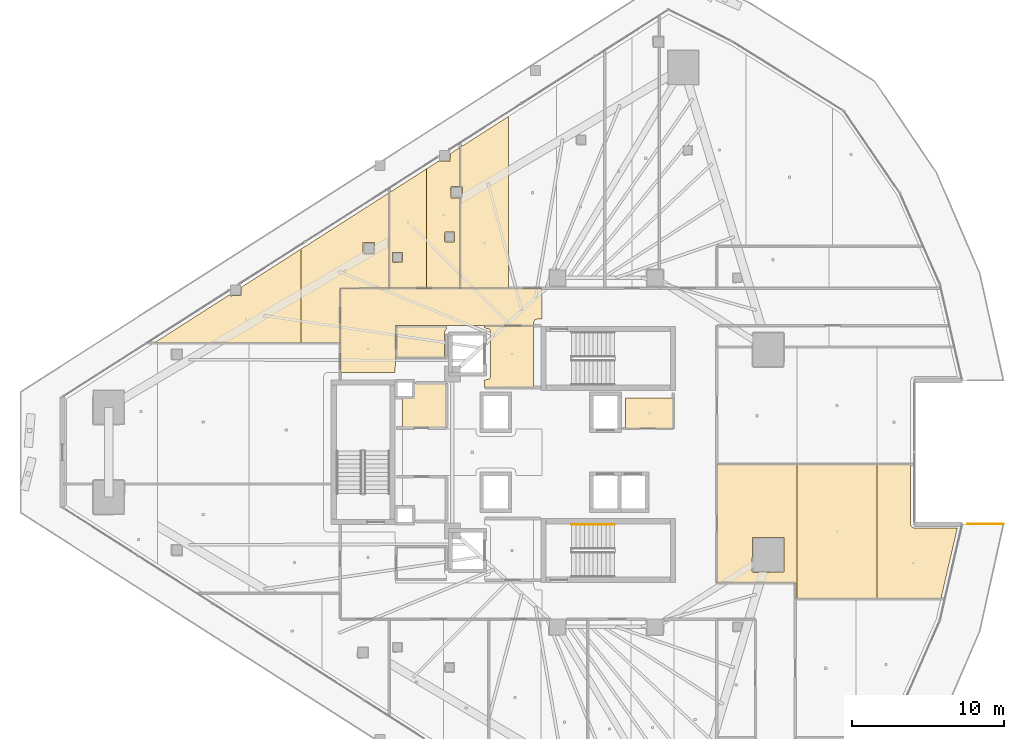
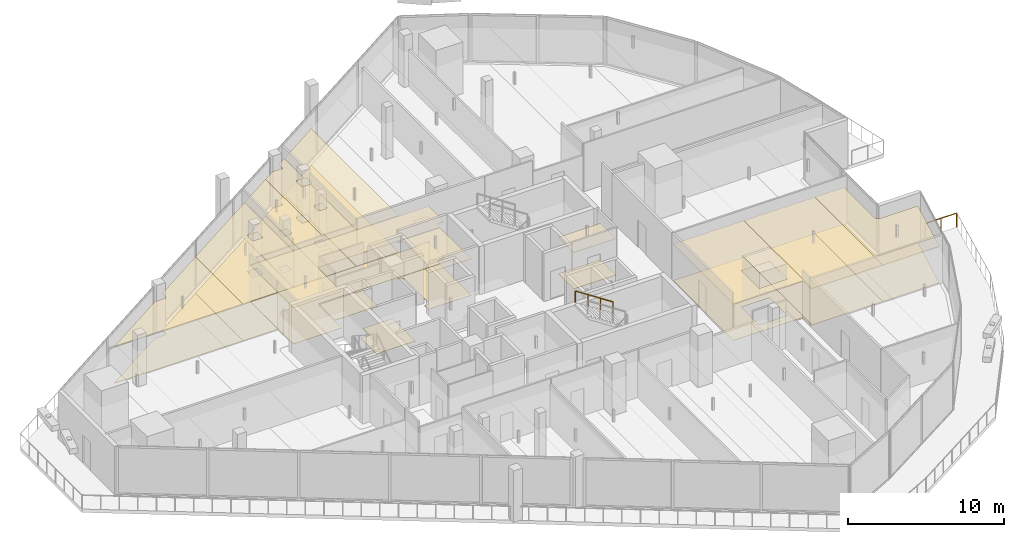
# One storey, part 33 of 35: 24 coverings, 2 railings.
"""IFC4 building model written with IfcOpenShell, lengths in metres."""

from ifc_helpers import new_model, si_unit, direction, frame, origin, origin_2d, place, context, subcontext, project, spatial, polyline, circle, outline, extrude, material, layer, layer_set, type_object, element, save


model = new_model("IFC4")

# Units and contexts
model_context = context("Model", 3, precision=1e-05, world=origin(), true_north=direction((0.0, 1.0)))
body_context = subcontext(model_context, "Body", "Model", "MODEL_VIEW")
ifc_project = project(units=[si_unit("LENGTHUNIT", "METRE"), si_unit("AREAUNIT", "SQUARE_METRE"), si_unit("VOLUMEUNIT", "CUBIC_METRE"), si_unit("PLANEANGLEUNIT", "RADIAN"), si_unit("MASSUNIT", "GRAM", prefix="KILO")], contexts=[model_context])

# Site, building, storey
site_placement = place(None, origin())
site = spatial("IfcSite", under=ifc_project, at=site_placement, CompositionType="ELEMENT")
building_placement = place(site_placement, origin())
building = spatial("IfcBuilding", under=site, at=building_placement, Name="Qorvath Tower", CompositionType="ELEMENT")
storey_placement = place(building_placement, frame((0.0, 0.0, 166.5)))
storey = spatial("IfcBuildingStorey", under=building, at=storey_placement, Name="L38", CompositionType="ELEMENT", Elevation=166.5)

# Coverings
ifc_material_1 = material(Name="Acoustic mineral fibre ceiling tile", Category="gypsum")
ifc_layer_1 = layer(ifc_material_1, 0.030029296875)
ifc_layer_set_1 = layer_set([ifc_layer_1], Name="COV-CEIL")
covering_type_1 = type_object("IfcCoveringType", Name="COV-CEIL", PredefinedType="CEILING", material=ifc_layer_set_1)
covering_1_placement = place(storey_placement, frame((0.0, 0.0, 2.85009765625)))
element("IfcCovering", 1, at=covering_1_placement, inside=storey, type_object=covering_type_1, Name="L38 Suspended Acoustic Ceiling 001", PredefinedType="CEILING", context=body_context, shape_type="SweptSolid", body=[
    extrude(outline(polyline([(-25.18994140625, 4.2548828125), (-25.18994140625, 8.294921875), (-28.375, 8.294921875), (-28.375, 8.159912109375), (-28.063232421875, 8.086669921875), (-27.989990234375, 7.909912109375), (-27.989990234375, 4.989990234375), (-28.063232421875, 4.813232421875), (-28.375, 4.739990234375), (-28.375, 4.2548828125), (-25.18994140625, 4.2548828125)])), origin(), (0.0, 0.0, 1.0), 0.030029296875),
])
covering_2_placement = place(storey_placement, frame((0.0, 0.0, 2.85009765625)))
element("IfcCovering", 2, at=covering_2_placement, inside=storey, type_object=covering_type_1, Name="L38 Suspended Acoustic Ceiling 003", PredefinedType="CEILING", context=body_context, shape_type="SweptSolid", body=[
    extrude(outline(polyline([(-16.0048828125, 3.56005859375), (-19.139892578125, 3.56005859375), (-19.139892578125, 1.56494140625), (-16.0048828125, 1.56494140625), (-16.0048828125, 3.56005859375)])), origin(), (0.0, 0.0, 1.0), 0.030029296875),
])
covering_3_placement = place(storey_placement, frame((0.0, 0.0, 2.85009765625)))
element("IfcCovering", 3, at=covering_3_placement, inside=storey, type_object=covering_type_1, Name="L38 Suspended Acoustic Ceiling 009", PredefinedType="CEILING", context=body_context, shape_type="SweptSolid", body=[
    extrude(outline(polyline([(-24.621826171875, 8.75), (-24.621826171875, 10.7451171875), (-37.844970703125, 10.7451171875), (-37.844970703125, 5.239990234375), (-34.2509765625, 5.239990234375), (-34.219970703125, 8.324951171875), (-25.18994140625, 8.324951171875), (-25.11669921875, 8.6767578125), (-24.93994140625, 8.75), (-24.621826171875, 8.75)])), origin(), (0.0, 0.0, 1.0), 0.030029296875),
])
covering_4_placement = place(storey_placement, frame((0.0, 0.0, 2.85009765625)))
element("IfcCovering", 4, at=covering_4_placement, inside=storey, type_object=covering_type_1, Name="L38 Suspended Acoustic Ceiling 011", PredefinedType="CEILING", context=body_context, shape_type="SweptSolid", body=[
    extrude(outline(polyline([(-32.19189453125, 10.762939453125), (-32.19189453125, 18.59619140625), (-34.64501953125, 17.0283203125), (-34.64501953125, 10.762939453125), (-32.19189453125, 10.762939453125)]), holes=[polyline([(-34.439208984375, 12.517578125), (-34.421630859375, 13.10986328125), (-33.786865234375, 13.10986328125), (-33.786865234375, 12.47509765625), (-34.379150390625, 12.45751953125), (-34.439208984375, 12.517578125)])]), origin(), (0.0, 0.0, 1.0), 0.030029296875),
])
covering_5_placement = place(storey_placement, frame((0.0, 0.0, 2.85009765625)))
element("IfcCovering", 5, at=covering_5_placement, inside=storey, type_object=covering_type_1, Name="L38 Suspended Acoustic Ceiling 012", PredefinedType="CEILING", context=body_context, shape_type="SweptSolid", body=[
    extrude(outline(polyline([(-29.98388671875, 17.444580078125), (-29.98388671875, 20.00732421875), (-30.631103515625, 19.59375), (-30.648681640625, 19.093017578125), (-31.39013671875, 19.108642578125), (-32.19189453125, 18.59619140625), (-32.19189453125, 10.762939453125), (-29.98388671875, 10.762939453125), (-29.98388671875, 16.674560546875), (-30.59228515625, 16.692138671875), (-30.60986328125, 17.384521484375), (-30.5498046875, 17.444580078125), (-29.98388671875, 17.444580078125)]), holes=[polyline([(-31.01220703125, 13.849365234375), (-30.99462890625, 14.441650390625), (-30.35986328125, 14.441650390625), (-30.35986328125, 13.806884765625), (-30.9521484375, 13.789306640625), (-31.01220703125, 13.849365234375)])]), origin(), (0.0, 0.0, 1.0), 0.030029296875),
])
covering_6_placement = place(storey_placement, frame((0.0, 0.0, 2.85009765625)))
element("IfcCovering", 6, at=covering_6_placement, inside=storey, type_object=covering_type_1, Name="L38 Suspended Acoustic Ceiling 013", PredefinedType="CEILING", context=body_context, shape_type="SweptSolid", body=[
    extrude(outline(polyline([(-26.81201171875, 10.762939453125), (-26.81201171875, 22.03759765625), (-29.9658203125, 20.018798828125), (-29.9658203125, 17.444580078125), (-29.83984375, 17.384521484375), (-29.83984375, 16.734619140625), (-29.9658203125, 16.674560546875), (-29.9658203125, 10.762939453125), (-26.81201171875, 10.762939453125)])), origin(), (0.0, 0.0, 1.0), 0.030029296875),
])
covering_7_placement = place(storey_placement, frame((0.0, 0.0, 2.85009765625)))
element("IfcCovering", 7, at=covering_7_placement, inside=storey, type_object=covering_type_1, Name="L38 Suspended Acoustic Ceiling 033", PredefinedType="CEILING", context=body_context, shape_type="SweptSolid", body=[
    extrude(outline(polyline([(-7.8798828125, -9.58837890625), (-7.8798828125, -0.7939453125), (-13.136962890625, -0.7939453125), (-13.136962890625, -8.56689453125), (-7.991943359375, -8.56689453125), (-7.987060546875, -9.58837890625), (-7.8798828125, -9.58837890625)]), holes=[polyline([(-10.830322265625, -7.8212890625), (-10.812744140625, -5.578857421875), (-8.727783203125, -5.578857421875), (-8.727783203125, -7.86376953125), (-10.770263671875, -7.88134765625), (-10.830322265625, -7.8212890625)])]), origin(), (0.0, 0.0, 1.0), 0.030029296875),
])
covering_8_placement = place(storey_placement, frame((0.0, 0.0, 2.85009765625)))
element("IfcCovering", 8, at=covering_8_placement, inside=storey, type_object=covering_type_1, Name="L38 Suspended Acoustic Ceiling 034", PredefinedType="CEILING", context=body_context, shape_type="SweptSolid", body=[
    extrude(outline(polyline([(-2.62255859375, -9.58837890625), (-2.62255859375, -0.7939453125), (-7.8798828125, -0.7939453125), (-7.8798828125, -9.58837890625), (-2.62255859375, -9.58837890625)])), origin(), (0.0, 0.0, 1.0), 0.030029296875),
])
covering_9_placement = place(storey_placement, frame((0.0, 0.0, 2.85009765625)))
element("IfcCovering", 9, at=covering_9_placement, inside=storey, type_object=covering_type_1, Name="L38 Suspended Acoustic Ceiling 035", PredefinedType="CEILING", context=body_context, shape_type="SweptSolid", body=[
    extrude(outline(polyline([(-0.3466796875, -4.904541015625), (-0.43408203125, -4.757568359375), (-0.438720703125, -0.7939453125), (-2.62255859375, -0.7939453125), (-2.62255859375, -9.58837890625), (1.5625, -9.58837890625), (2.634521484375, -4.9638671875), (-0.208251953125, -4.962646484375), (-0.3466796875, -4.904541015625)])), origin(), (0.0, 0.0, 1.0), 0.030029296875),
])
covering_10_placement = place(storey_placement, frame((0.0, 0.0, 2.85009765625)))
element("IfcCovering", 10, at=covering_10_placement, inside=storey, type_object=covering_type_1, Name="L38 Suspended Acoustic Ceiling 050", PredefinedType="CEILING", context=body_context, shape_type="SweptSolid", body=[
    extrude(outline(polyline([(-40.444580078125, 7.183349609375), (-40.444580078125, 13.32177734375), (-44.351318359375, 10.82470703125), (-44.368896484375, 10.284912109375), (-45.061279296875, 10.267333984375), (-45.121337890625, 10.33251953125), (-50.048583984375, 7.183349609375), (-40.444580078125, 7.183349609375)])), origin(), (0.0, 0.0, 1.0), 0.030029296875),
])
covering_11_placement = place(storey_placement, frame((0.0, 0.0, 2.85009765625)))
element("IfcCovering", 11, at=covering_11_placement, inside=storey, type_object=covering_type_1, Name="L38 Suspended Acoustic Ceiling 051", PredefinedType="CEILING", context=body_context, shape_type="SweptSolid", body=[
    extrude(outline(polyline([(-34.6630859375, 10.762939453125), (-34.6630859375, 17.016845703125), (-40.444580078125, 13.32177734375), (-40.444580078125, 7.183349609375), (-37.863037109375, 7.183349609375), (-37.861572265625, 10.761474609375), (-34.6630859375, 10.762939453125)]), holes=[polyline([(-36.36572265625, 13.055908203125), (-36.34814453125, 13.748291015625), (-35.61328125, 13.748291015625), (-35.61328125, 13.013427734375), (-36.3056640625, 12.995849609375), (-36.36572265625, 13.055908203125)])]), origin(), (0.0, 0.0, 1.0), 0.030029296875),
])
ifc_material_2 = material(Name="Low-VOC modular carpet tile", Category="textile")
ifc_layer_2 = layer(ifc_material_2, 0.014892578125)
ifc_layer_set_2 = layer_set([ifc_layer_2], Name="COV-FLOOR-CPT")
covering_type_2 = type_object("IfcCoveringType", Name="COV-FLOOR-CPT", PredefinedType="FLOORING", material=ifc_layer_set_2)
covering_12_placement = place(storey_placement, origin())
element("IfcCovering", 12, at=covering_12_placement, inside=storey, type_object=covering_type_2, Name="L38 Floor Finish 003", PredefinedType="FLOORING", context=body_context, shape_type="SweptSolid", body=[
    extrude(outline(polyline([(-16.0048828125, 3.56005859375), (-19.139892578125, 3.56005859375), (-19.139892578125, 1.56494140625), (-16.0048828125, 1.56494140625), (-16.0048828125, 3.56005859375)])), origin(), (0.0, 0.0, 1.0), 0.014892578125),
])
covering_13_placement = place(storey_placement, origin())
element("IfcCovering", 13, at=covering_13_placement, inside=storey, type_object=covering_type_2, Name="L38 Floor Finish 005", PredefinedType="FLOORING", context=body_context, shape_type="SweptSolid", body=[
    extrude(outline(polyline([(-33.760009765625, 3.636962890625), (-33.760009765625, 1.60498046875), (-30.885009765625, 1.60498046875), (-30.885009765625, 4.534912109375), (-33.0869140625, 4.534912109375), (-33.092041015625, 3.636962890625), (-33.760009765625, 3.636962890625)])), origin(), (0.0, 0.0, 1.0), 0.014892578125),
])
covering_14_placement = place(storey_placement, origin())
element("IfcCovering", 14, at=covering_14_placement, inside=storey, type_object=covering_type_2, Name="L38 Floor Finish 011", PredefinedType="FLOORING", context=body_context, shape_type="SweptSolid", body=[
    extrude(outline(polyline([(-32.19189453125, 10.762939453125), (-32.19189453125, 18.59619140625), (-34.64501953125, 17.0283203125), (-34.64501953125, 10.762939453125), (-32.19189453125, 10.762939453125)]), holes=[polyline([(-34.439208984375, 12.517578125), (-34.421630859375, 13.10986328125), (-33.786865234375, 13.10986328125), (-33.786865234375, 12.47509765625), (-34.379150390625, 12.45751953125), (-34.439208984375, 12.517578125)])]), origin(), (0.0, 0.0, 1.0), 0.014892578125),
])
covering_15_placement = place(storey_placement, origin())
element("IfcCovering", 15, at=covering_15_placement, inside=storey, type_object=covering_type_2, Name="L38 Floor Finish 012", PredefinedType="FLOORING", context=body_context, shape_type="SweptSolid", body=[
    extrude(outline(polyline([(-29.98388671875, 17.444580078125), (-29.98388671875, 20.00732421875), (-30.631103515625, 19.59375), (-30.648681640625, 19.093017578125), (-31.39013671875, 19.108642578125), (-32.19189453125, 18.59619140625), (-32.19189453125, 10.762939453125), (-29.98388671875, 10.762939453125), (-29.98388671875, 16.674560546875), (-30.59228515625, 16.692138671875), (-30.60986328125, 17.384521484375), (-30.5498046875, 17.444580078125), (-29.98388671875, 17.444580078125)]), holes=[polyline([(-31.01220703125, 13.849365234375), (-30.99462890625, 14.441650390625), (-30.35986328125, 14.441650390625), (-30.35986328125, 13.806884765625), (-30.9521484375, 13.789306640625), (-31.01220703125, 13.849365234375)])]), origin(), (0.0, 0.0, 1.0), 0.014892578125),
])
covering_16_placement = place(storey_placement, origin())
element("IfcCovering", 16, at=covering_16_placement, inside=storey, type_object=covering_type_2, Name="L38 Floor Finish 013", PredefinedType="FLOORING", context=body_context, shape_type="SweptSolid", body=[
    extrude(outline(polyline([(-26.81201171875, 10.762939453125), (-26.81201171875, 22.03759765625), (-29.9658203125, 20.018798828125), (-29.9658203125, 17.444580078125), (-29.83984375, 17.384521484375), (-29.83984375, 16.734619140625), (-29.9658203125, 16.674560546875), (-29.9658203125, 10.762939453125), (-26.81201171875, 10.762939453125)])), origin(), (0.0, 0.0, 1.0), 0.014892578125),
])
covering_17_placement = place(storey_placement, origin())
element("IfcCovering", 17, at=covering_17_placement, inside=storey, type_object=covering_type_2, Name="L38 Floor Finish 033", PredefinedType="FLOORING", context=body_context, shape_type="SweptSolid", body=[
    extrude(outline(polyline([(-7.8798828125, -9.58837890625), (-7.8798828125, -0.7939453125), (-13.136962890625, -0.7939453125), (-13.136962890625, -8.56689453125), (-7.991943359375, -8.56689453125), (-7.987060546875, -9.58837890625), (-7.8798828125, -9.58837890625)]), holes=[polyline([(-10.830322265625, -7.8212890625), (-10.812744140625, -5.578857421875), (-8.727783203125, -5.578857421875), (-8.727783203125, -7.86376953125), (-10.770263671875, -7.88134765625), (-10.830322265625, -7.8212890625)])]), origin(), (0.0, 0.0, 1.0), 0.014892578125),
])
covering_18_placement = place(storey_placement, origin())
element("IfcCovering", 18, at=covering_18_placement, inside=storey, type_object=covering_type_2, Name="L38 Floor Finish 034", PredefinedType="FLOORING", context=body_context, shape_type="SweptSolid", body=[
    extrude(outline(polyline([(-2.62255859375, -9.58837890625), (-2.62255859375, -0.7939453125), (-7.8798828125, -0.7939453125), (-7.8798828125, -9.58837890625), (-2.62255859375, -9.58837890625)])), origin(), (0.0, 0.0, 1.0), 0.014892578125),
])
covering_19_placement = place(storey_placement, origin())
element("IfcCovering", 19, at=covering_19_placement, inside=storey, type_object=covering_type_2, Name="L38 Floor Finish 035", PredefinedType="FLOORING", context=body_context, shape_type="SweptSolid", body=[
    extrude(outline(polyline([(-0.3466796875, -4.904541015625), (-0.43408203125, -4.757568359375), (-0.438720703125, -0.7939453125), (-2.62255859375, -0.7939453125), (-2.62255859375, -9.58837890625), (1.5625, -9.58837890625), (2.634521484375, -4.9638671875), (-0.208251953125, -4.962646484375), (-0.3466796875, -4.904541015625)])), origin(), (0.0, 0.0, 1.0), 0.014892578125),
])
covering_20_placement = place(storey_placement, origin())
element("IfcCovering", 20, at=covering_20_placement, inside=storey, type_object=covering_type_2, Name="L38 Floor Finish 050", PredefinedType="FLOORING", context=body_context, shape_type="SweptSolid", body=[
    extrude(outline(polyline([(-40.444580078125, 7.183349609375), (-40.444580078125, 13.32177734375), (-44.351318359375, 10.82470703125), (-44.368896484375, 10.284912109375), (-45.061279296875, 10.267333984375), (-45.121337890625, 10.33251953125), (-50.048583984375, 7.183349609375), (-40.444580078125, 7.183349609375)])), origin(), (0.0, 0.0, 1.0), 0.014892578125),
])
covering_21_placement = place(storey_placement, origin())
element("IfcCovering", 21, at=covering_21_placement, inside=storey, type_object=covering_type_2, Name="L38 Floor Finish 051", PredefinedType="FLOORING", context=body_context, shape_type="SweptSolid", body=[
    extrude(outline(polyline([(-34.6630859375, 10.762939453125), (-34.6630859375, 17.016845703125), (-40.444580078125, 13.32177734375), (-40.444580078125, 7.183349609375), (-37.863037109375, 7.183349609375), (-37.861572265625, 10.761474609375), (-34.6630859375, 10.762939453125)]), holes=[polyline([(-36.36572265625, 13.055908203125), (-36.34814453125, 13.748291015625), (-35.61328125, 13.748291015625), (-35.61328125, 13.013427734375), (-36.3056640625, 12.995849609375), (-36.36572265625, 13.055908203125)])]), origin(), (0.0, 0.0, 1.0), 0.014892578125),
])
ifc_material_3 = material(Name="Polished epoxy terrazzo flooring", Category="concrete")
ifc_layer_3 = layer(ifc_material_3, 0.02001953125)
ifc_layer_set_3 = layer_set([ifc_layer_3], Name="COV-FLOOR-TRZ")
covering_type_3 = type_object("IfcCoveringType", Name="COV-FLOOR-TRZ", PredefinedType="FLOORING", material=ifc_layer_set_3)
covering_22_placement = place(storey_placement, origin())
element("IfcCovering", 22, at=covering_22_placement, inside=storey, type_object=covering_type_3, Name="L38 Floor Finish 001", PredefinedType="FLOORING", context=body_context, shape_type="SweptSolid", body=[
    extrude(outline(polyline([(-25.18994140625, 4.2548828125), (-25.18994140625, 8.294921875), (-28.375, 8.294921875), (-28.375, 8.159912109375), (-28.063232421875, 8.086669921875), (-27.989990234375, 7.909912109375), (-27.989990234375, 4.989990234375), (-28.063232421875, 4.813232421875), (-28.375, 4.739990234375), (-28.375, 4.2548828125), (-25.18994140625, 4.2548828125)])), origin(), (0.0, 0.0, 1.0), 0.014892578125),
])
covering_23_placement = place(storey_placement, origin())
element("IfcCovering", 23, at=covering_23_placement, inside=storey, type_object=covering_type_3, Name="L38 Floor Finish 004", PredefinedType="FLOORING", context=body_context, shape_type="SweptSolid", body=[
    extrude(outline(polyline([(-31.010009765625, 6.205078125), (-31.010009765625, 7.909912109375), (-30.885009765625, 8.108154296875), (-30.885009765625, 8.2451171875), (-34.175048828125, 8.2451171875), (-34.175048828125, 6.205078125), (-31.010009765625, 6.205078125)])), origin(), (0.0, 0.0, 1.0), 0.014892578125),
])
covering_24_placement = place(storey_placement, origin())
element("IfcCovering", 24, at=covering_24_placement, inside=storey, type_object=covering_type_3, Name="L38 Floor Finish 009", PredefinedType="FLOORING", context=body_context, shape_type="SweptSolid", body=[
    extrude(outline(polyline([(-24.621826171875, 8.75), (-24.621826171875, 10.7451171875), (-37.844970703125, 10.7451171875), (-37.844970703125, 5.239990234375), (-34.2509765625, 5.239990234375), (-34.219970703125, 8.324951171875), (-25.18994140625, 8.324951171875), (-25.11669921875, 8.6767578125), (-24.93994140625, 8.75), (-24.621826171875, 8.75)])), origin(), (0.0, 0.0, 1.0), 0.014892578125),
])

# Railings
ifc_material_4 = material(Name="Laminated safety glass and stainless steel AISI 316", Category="steel")
railing_type_1 = type_object("IfcRailingType", Name="RL-EXT-GRD", PredefinedType="GUARDRAIL", material=ifc_material_4)
railing_1_placement = place(storey_placement, frame((3.304931640625, -4.708740234375, 0.0)))
element("IfcRailing", 25, at=railing_1_placement, inside=storey, type_object=railing_type_1, Name="Loggia Perimeter Guardrail L38-1.2", PredefinedType="GUARDRAIL", context=body_context, shape_type="SweptSolid", body=[
    extrude(circle(Radius=0.02392578125, at=origin_2d()), frame((0.0, 0.0, 1.09619140625), z_axis=(1.0, 0.0, 0.0), x_axis=(0.0, 1.0, 0.0)), (0.0, 0.0, 1.0), 2.36669921875),
    extrude(circle(Radius=0.02099609375, at=origin_2d()), origin(), (0.0, 0.0, 1.0), 1.072021484375),
    extrude(circle(Radius=0.02099609375, at=origin_2d()), frame((1.183349609375, 0.0, 0.0)), (0.0, 0.0, 1.0), 1.072021484375),
    extrude(circle(Radius=0.02099609375, at=origin_2d()), frame((2.36669921875, 0.0, 0.0)), (0.0, 0.0, 1.0), 1.072021484375),
])
ifc_material_5 = material(Name="Brushed stainless steel AISI 304", Category="steel")
railing_type_2 = type_object("IfcRailingType", Name="RL-STR-HND", PredefinedType="HANDRAIL", material=ifc_material_5)
railing_2_placement = place(storey_placement, frame((-19.8701171875, -4.739990234375, 2.208984375)))
element("IfcRailing", 26, at=railing_2_placement, inside=storey, type_object=railing_type_2, Name="L38 TS2 stair handrail 2", PredefinedType="HANDRAIL", context=body_context, shape_type="SweptSolid", body=[
    extrude(circle(Radius=0.02392578125, at=origin_2d()), frame((0.0, 0.0, 0.8759765625), z_axis=(-0.835542071712, 0.0, 0.549426470421), x_axis=(0.0, -1.0, 0.0)), (0.0, 0.0, 1.0), 3.350830078125),
    extrude(circle(Radius=0.02099609375, at=origin_2d()), origin(), (0.0, 0.0, 1.0), 0.851806640625),
    extrude(circle(Radius=0.02099609375, at=origin_2d()), frame((-0.933349609375, 0.0, 0.61376953125)), (0.0, 0.0, 1.0), 0.851806640625),
    extrude(circle(Radius=0.02099609375, at=origin_2d()), frame((-1.866455078125, 0.0, 1.227294921875)), (0.0, 0.0, 1.0), 0.851806640625),
    extrude(circle(Radius=0.02099609375, at=origin_2d()), frame((-2.7998046875, 0.0, 1.841064453125)), (0.0, 0.0, 1.0), 0.851806640625),
])

save(model, "model.ifc")
